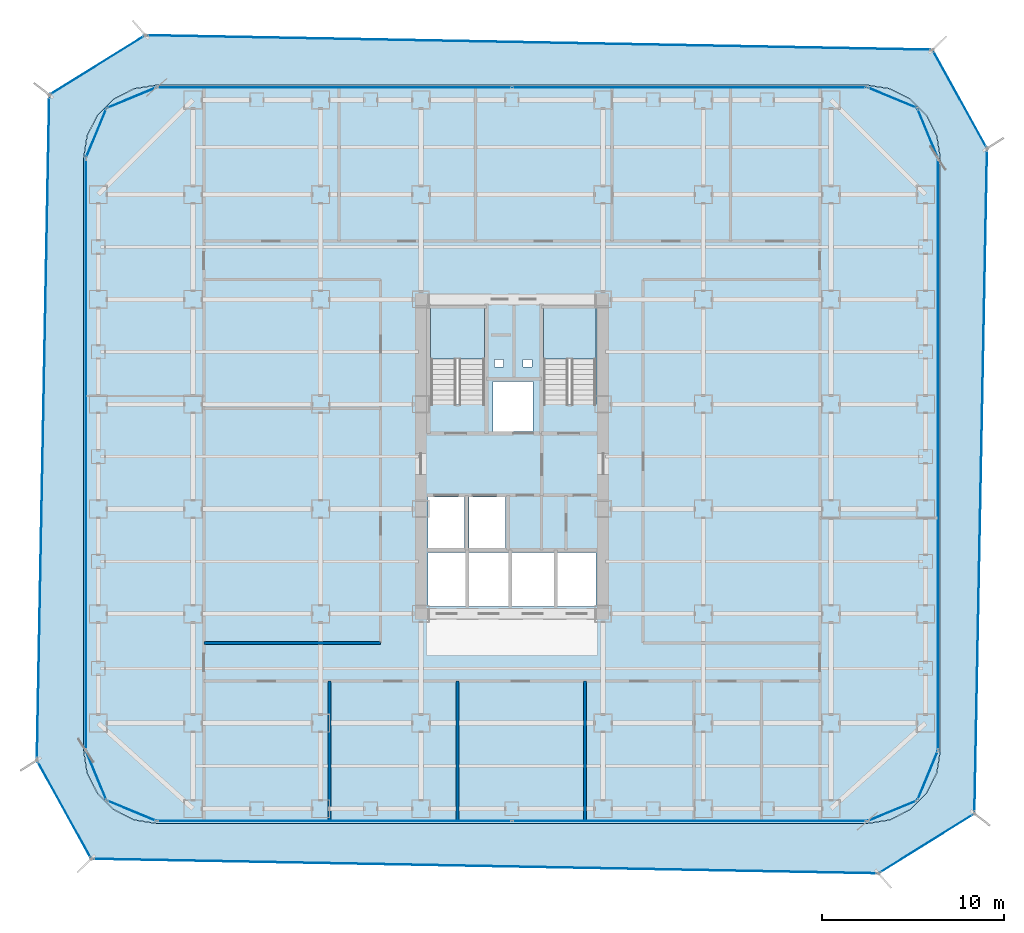
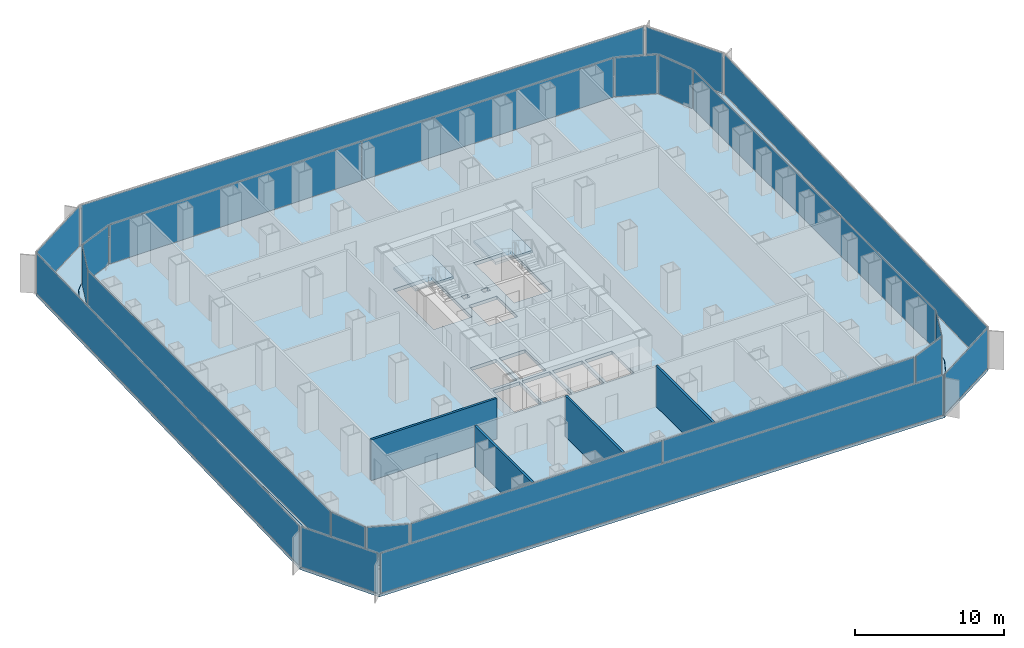
# One storey, part 16 of 22: 22 plates, 4 slabs, 4 walls, 22 elements without a shape of their own.
"""IFC4 building model written with IfcOpenShell, lengths in metres."""

from ifc_helpers import new_model, si_unit, direction, frame, frame_2d, origin, origin_2d, place, context, subcontext, project, spatial, polyline, rectangle, outline, extrude, source, transform, mapped, material, layer, layer_set, type_object, element, aggregate, save


model = new_model("IFC4")

# Units and contexts
model_context = context("Model", 3, precision=1e-05, world=origin(), true_north=direction((0.0, 1.0)))
body_context = subcontext(model_context, "Body", "Model", "MODEL_VIEW")
ifc_project = project(units=[si_unit("LENGTHUNIT", "METRE"), si_unit("AREAUNIT", "SQUARE_METRE"), si_unit("VOLUMEUNIT", "CUBIC_METRE"), si_unit("PLANEANGLEUNIT", "RADIAN"), si_unit("MASSUNIT", "GRAM", prefix="KILO")], contexts=[model_context])

# Site, building, storey
site_placement = place(None, origin())
site = spatial("IfcSite", under=ifc_project, at=site_placement, CompositionType="ELEMENT")
building_placement = place(site_placement, origin())
building = spatial("IfcBuilding", under=site, at=building_placement, Name="Kolveth Station Tower", CompositionType="ELEMENT")
storey_placement = place(building_placement, frame((0.0, 0.0, 81.0)))
storey = spatial("IfcBuildingStorey", under=building, at=storey_placement, Name="L21", CompositionType="ELEMENT", Elevation=81.0)

# Slab
ifc_material_1 = material(Name="Concrete C45/55", Category="concrete")
ifc_layer_1 = layer(ifc_material_1, 0.280029296875)
ifc_layer_set_1 = layer_set([ifc_layer_1], Name="Concrete C45/55")
slab_type_1 = type_object("IfcSlabType", Name="Slab_SF-280", PredefinedType="FLOOR", material=ifc_layer_set_1)
slab_1_placement = place(storey_placement, frame((0.0, 0.0, -0.280029296875)))
element("IfcSlab", 1, at=slab_1_placement, inside=storey, type_object=slab_type_1, Name="L21 Tower Structural Floor Slab", PredefinedType="FLOOR", context=body_context, shape_type="SweptSolid", body=[
    extrude(outline(polyline([(43.0, 0.0), (44.236083984375, 0.19580078125), (45.35107421875, 0.763916015625), (46.236083984375, 1.64892578125), (46.80419921875, 2.763916015625), (47.0, 4.0), (47.0, 36.5), (46.80419921875, 37.736083984375), (46.236083984375, 38.85107421875), (45.35107421875, 39.736083984375), (44.236083984375, 40.30419921875), (43.0, 40.5), (4.0, 40.5), (2.763916015625, 40.30419921875), (1.64892578125, 39.736083984375), (0.763916015625, 38.85107421875), (0.19580078125, 37.736083984375), (0.0, 36.5), (0.0, 4.0), (0.19580078125, 2.763916015625), (0.763916015625, 1.64892578125), (1.64892578125, 0.763916015625), (2.763916015625, 0.19580078125), (4.0, 0.0), (43.0, 0.0)]), holes=[polyline([(19.0400390625, 22.985107421875), (22.0, 22.985107421875), (22.0, 28.39990234375), (19.0400390625, 28.39990234375), (19.0400390625, 22.985107421875)]), polyline([(25.239990234375, 22.985107421875), (28.10009765625, 22.985107421875), (28.10009765625, 28.39990234375), (25.239990234375, 28.39990234375), (25.239990234375, 22.985107421875)]), polyline([(18.89990234375, 15.10009765625), (20.89990234375, 15.10009765625), (20.89990234375, 17.89990234375), (18.89990234375, 17.89990234375), (18.89990234375, 15.10009765625)]), polyline([(21.14990234375, 15.10009765625), (23.14990234375, 15.10009765625), (23.14990234375, 17.89990234375), (21.14990234375, 17.89990234375), (21.14990234375, 15.10009765625)]), polyline([(22.449951171875, 21.5), (24.64990234375, 21.5), (24.64990234375, 24.25), (22.449951171875, 24.25), (22.449951171875, 21.5)]), polyline([(18.89990234375, 11.89990234375), (20.949951171875, 11.89990234375), (20.949951171875, 14.85009765625), (18.89990234375, 14.85009765625), (18.89990234375, 11.89990234375)]), polyline([(21.14990234375, 11.89990234375), (23.300048828125, 11.89990234375), (23.300048828125, 14.85009765625), (21.14990234375, 14.85009765625), (21.14990234375, 11.89990234375)]), polyline([(23.5, 11.89990234375), (25.800048828125, 11.89990234375), (25.800048828125, 14.85009765625), (23.5, 14.85009765625), (23.5, 11.89990234375)]), polyline([(26.0, 11.89990234375), (28.10009765625, 11.89990234375), (28.10009765625, 14.85009765625), (26.0, 14.85009765625), (26.0, 11.89990234375)]), polyline([(22.550048828125, 25.050048828125), (23.050048828125, 25.050048828125), (23.050048828125, 25.449951171875), (22.550048828125, 25.449951171875), (22.550048828125, 25.050048828125)]), polyline([(24.10009765625, 25.050048828125), (24.60009765625, 25.050048828125), (24.60009765625, 25.449951171875), (24.10009765625, 25.449951171875), (24.10009765625, 25.050048828125)])]), origin(), (0.0, 0.0, 1.0), 0.280029296875),
])

# Stair, slab
ifc_material_2 = material(Name="Concrete C40/50", Category="concrete")
stair_type_1 = type_object("IfcStairType", Name="Stair_ST2", PredefinedType="HALF_TURN_STAIR", material=ifc_material_2)
stair_1_placement = place(storey_placement, origin())
stair_1 = element("IfcStair", 2, at=stair_1_placement, inside=storey, type_object=stair_type_1, Name="L21 Tower Exit Stair ST2", PredefinedType="HALF_TURN_STAIR")
ifc_layer_2 = layer(ifc_material_2, 0.18994140625)
ifc_layer_set_2 = layer_set([ifc_layer_2], Name="Concrete C40/50")
slab_type_2 = type_object("IfcSlabType", Name="Slab_SL-190", PredefinedType="LANDING", material=ifc_layer_set_2)
slab_2_placement = place(storey_placement, frame((0.0, 0.0, 1.60009765625)))
slab_2 = element("IfcSlab", 3, at=slab_2_placement, type_object=slab_type_2, Name="ST2 landing 1", PredefinedType="LANDING", context=body_context, shape_type="SweptSolid", body=[
    extrude(outline(polyline([(28.10009765625, 25.469970703125), (28.10009765625, 28.39990234375), (25.239990234375, 28.39990234375), (25.239990234375, 25.469970703125), (28.10009765625, 25.469970703125)])), origin(), (0.0, 0.0, 1.0), 0.199951171875),
])
aggregate(stair_1, [slab_2])

stair_type_2 = type_object("IfcStairType", Name="Stair_ST1", PredefinedType="HALF_TURN_STAIR", material=ifc_material_2)
stair_2_placement = place(storey_placement, origin())
stair_2 = element("IfcStair", 4, at=stair_2_placement, inside=storey, type_object=stair_type_2, Name="L21 Tower Exit Stair ST1", PredefinedType="HALF_TURN_STAIR")
ifc_layer_3 = layer(ifc_material_2, 0.205078125)
ifc_layer_set_3 = layer_set([ifc_layer_3], Name="Concrete C40/50")
slab_type_3 = type_object("IfcSlabType", Name="Slab_SL-205", PredefinedType="LANDING", material=ifc_layer_set_3)
slab_3_placement = place(storey_placement, frame((0.0, 0.0, 1.60009765625)))
slab_3 = element("IfcSlab", 5, at=slab_3_placement, type_object=slab_type_3, Name="ST1 landing 1", PredefinedType="LANDING", context=body_context, shape_type="SweptSolid", body=[
    extrude(outline(polyline([(22.0, 25.469970703125), (22.0, 28.39990234375), (19.0400390625, 28.39990234375), (19.0400390625, 25.469970703125), (22.0, 25.469970703125)])), origin(), (0.0, 0.0, 1.0), 0.199951171875),
])
aggregate(stair_2, [slab_3])

# Slab
ifc_layer_4 = layer(ifc_material_2, 0.2099609375)
ifc_layer_set_4 = layer_set([ifc_layer_4], Name="Concrete C40/50")
slab_type_4 = type_object("IfcSlabType", Name="Slab_ST-210", PredefinedType="FLOOR", material=ifc_layer_set_4)
slab_4_placement = place(storey_placement, frame((0.0, 0.0, -0.2099609375)))
element("IfcSlab", 6, at=slab_4_placement, inside=storey, type_object=slab_type_4, Name="L21 Double-Skin Cavity Structural Ledger Ring", PredefinedType="FLOOR", context=body_context, shape_type="SweptSolid", body=[
    extrude(outline(polyline([(0.42236328125, -1.947021484375), (-2.56591796875, 3.468505859375), (-1.885009765625, 39.96875), (3.38720703125, 43.24365234375), (46.577880859375, 42.447509765625), (49.572998046875, 37.032470703125), (48.8798828125, 0.5341796875), (43.61328125, -2.745849609375), (0.42236328125, -1.947021484375)]), holes=[polyline([(43.002197265625, -0.014892578125), (44.23828125, 0.180908203125), (44.242919921875, 0.182373046875), (45.35791015625, 0.75048828125), (45.36181640625, 0.75341796875), (46.24658203125, 1.63818359375), (46.24951171875, 1.64208984375), (46.817626953125, 2.757080078125), (46.819091796875, 2.76171875), (47.014892578125, 3.997802734375), (47.014892578125, 4.0), (47.014892578125, 36.5), (47.014892578125, 36.502197265625), (46.819091796875, 37.73828125), (46.817626953125, 37.742919921875), (46.24951171875, 38.85791015625), (46.24658203125, 38.86181640625), (45.36181640625, 39.74658203125), (45.35791015625, 39.74951171875), (44.242919921875, 40.317626953125), (44.23828125, 40.319091796875), (43.002197265625, 40.514892578125), (43.0, 40.514892578125), (4.0, 40.514892578125), (3.997802734375, 40.514892578125), (2.76171875, 40.319091796875), (2.757080078125, 40.317626953125), (1.64208984375, 39.74951171875), (1.63818359375, 39.74658203125), (0.75341796875, 38.86181640625), (0.75048828125, 38.85791015625), (0.182373046875, 37.742919921875), (0.180908203125, 37.73828125), (-0.014892578125, 36.502197265625), (-0.014892578125, 36.5), (-0.014892578125, 4.0), (-0.014892578125, 3.997802734375), (0.180908203125, 2.76171875), (0.182373046875, 2.757080078125), (0.75048828125, 1.64208984375), (0.75341796875, 1.63818359375), (1.63818359375, 0.75341796875), (1.64208984375, 0.75048828125), (2.757080078125, 0.182373046875), (2.76171875, 0.180908203125), (3.997802734375, -0.014892578125), (4.0, -0.014892578125), (43.0, -0.014892578125), (43.002197265625, -0.014892578125)])]), origin(), (0.0, 0.0, 1.0), 0.2099609375),
])

# Curtain wall, plate
ifc_material_3 = material(Name="Aluminium 6063-T6 and low-E dark glass", Category="aluminium")
ifc_layer_5 = layer(ifc_material_3, 0.179931640625)
ifc_layer_set_5 = layer_set([ifc_layer_5], Name="Aluminium 6063-T6 and low-E dark glass")
curtain_wall_type_1 = type_object("IfcCurtainWallType", Name="CurtainWall_CW-Z1", PredefinedType="NOTDEFINED", material=ifc_layer_set_5)
curtain_wall_1_placement = place(storey_placement, origin())
curtain_wall_1 = element("IfcCurtainWall", 7, at=curtain_wall_1_placement, inside=storey, type_object=curtain_wall_type_1, Name="L21 Inner Thermal Curtain Wall 1", PredefinedType="NOTDEFINED")
ifc_material_4 = material(Name="Architectural low-E dark glass", Category="glass")
ifc_layer_6 = layer(ifc_material_4, 0.035888671875)
ifc_layer_set_6 = layer_set([ifc_layer_6], Name="Architectural low-E dark glass")
plate_type_1 = type_object("IfcPlateType", Name="Panel_GL1", PredefinedType="CURTAIN_PANEL", material=ifc_layer_set_6)
shared_shape_1 = source(origin(), body_context, "Body", "SweptSolid", [
    extrude(rectangle(XDim=2.83349609375, YDim=0.035888671875, at=origin_2d()), origin(), (0.0, 0.0, 1.0), 3.18408203125),
])
plate_1_placement = place(storey_placement, frame((44.371826171875, 0.688232421875, 0.06787109375), z_axis=(0.0, 0.0, 1.0), x_axis=(0.923883857728, 0.382672990201, 0.0)))
plate_1 = element("IfcPlate", 8, at=plate_1_placement, type_object=plate_type_1, Name="CW-Z1 panel 1.1", PredefinedType="CURTAIN_PANEL", context=body_context, shape_type="MappedRepresentation", body=[
    mapped(shared_shape_1, transform((0.0, 0.0, 0.0), x_axis=(1.0, 0.0, 0.0), y_axis=(0.0, 1.0, 0.0), z_axis=(0.0, 0.0, 1.0), scale=1.0)),
])
aggregate(curtain_wall_1, [plate_1])

curtain_wall_2_placement = place(storey_placement, origin())
curtain_wall_2 = element("IfcCurtainWall", 9, at=curtain_wall_2_placement, inside=storey, type_object=curtain_wall_type_1, Name="L21 Inner Thermal Curtain Wall 2", PredefinedType="NOTDEFINED")
plate_2_placement = place(storey_placement, frame((46.311767578125, 2.628173828125, 0.06787109375), z_axis=(0.0, 0.0, 1.0), x_axis=(0.382672990201, 0.923883857728, 0.0)))
plate_2 = element("IfcPlate", 10, at=plate_2_placement, type_object=plate_type_1, Name="CW-Z1 panel 1.1", PredefinedType="CURTAIN_PANEL", context=body_context, shape_type="MappedRepresentation", body=[
    mapped(shared_shape_1, transform((0.0, 0.0, 0.0), x_axis=(1.0, 0.0, 0.0), y_axis=(0.0, 1.0, 0.0), z_axis=(0.0, 0.0, 1.0), scale=1.0)),
])
aggregate(curtain_wall_2, [plate_2])

curtain_wall_3_placement = place(storey_placement, origin())
curtain_wall_3 = element("IfcCurtainWall", 11, at=curtain_wall_3_placement, inside=storey, type_object=curtain_wall_type_1, Name="L21 Inner Thermal Curtain Wall 4", PredefinedType="NOTDEFINED")
plate_3_placement = place(storey_placement, frame((46.311767578125, 37.871826171875, 0.06787109375), z_axis=(0.0, 0.0, 1.0), x_axis=(-0.382672990201, 0.923883857728, 0.0)))
plate_3 = element("IfcPlate", 12, at=plate_3_placement, type_object=plate_type_1, Name="CW-Z1 panel 1.1", PredefinedType="CURTAIN_PANEL", context=body_context, shape_type="MappedRepresentation", body=[
    mapped(shared_shape_1, transform((0.0, 0.0, 0.0), x_axis=(1.0, 0.0, 0.0), y_axis=(0.0, 1.0, 0.0), z_axis=(0.0, 0.0, 1.0), scale=1.0)),
])
aggregate(curtain_wall_3, [plate_3])

curtain_wall_4_placement = place(storey_placement, origin())
curtain_wall_4 = element("IfcCurtainWall", 13, at=curtain_wall_4_placement, inside=storey, type_object=curtain_wall_type_1, Name="L21 Inner Thermal Curtain Wall 5", PredefinedType="NOTDEFINED")
plate_4_placement = place(storey_placement, frame((44.371826171875, 39.811767578125, 0.06787109375), z_axis=(0.0, 0.0, 1.0), x_axis=(-0.923883857728, 0.382672990201, 0.0)))
plate_4 = element("IfcPlate", 14, at=plate_4_placement, type_object=plate_type_1, Name="CW-Z1 panel 1.1", PredefinedType="CURTAIN_PANEL", context=body_context, shape_type="MappedRepresentation", body=[
    mapped(shared_shape_1, transform((0.0, 0.0, 0.0), x_axis=(1.0, 0.0, 0.0), y_axis=(0.0, 1.0, 0.0), z_axis=(0.0, 0.0, 1.0), scale=1.0)),
])
aggregate(curtain_wall_4, [plate_4])

curtain_wall_5_placement = place(storey_placement, origin())
curtain_wall_5 = element("IfcCurtainWall", 15, at=curtain_wall_5_placement, inside=storey, type_object=curtain_wall_type_1, Name="L21 Inner Thermal Curtain Wall 7", PredefinedType="NOTDEFINED")
plate_5_placement = place(storey_placement, frame((2.628173828125, 39.811767578125, 0.06787109375), z_axis=(0.0, 0.0, 1.0), x_axis=(-0.923883857728, -0.382672990201, 0.0)))
plate_5 = element("IfcPlate", 16, at=plate_5_placement, type_object=plate_type_1, Name="CW-Z1 panel 1.1", PredefinedType="CURTAIN_PANEL", context=body_context, shape_type="MappedRepresentation", body=[
    mapped(shared_shape_1, transform((0.0, 0.0, 0.0), x_axis=(1.0, 0.0, 0.0), y_axis=(0.0, 1.0, 0.0), z_axis=(0.0, 0.0, 1.0), scale=1.0)),
])
aggregate(curtain_wall_5, [plate_5])

curtain_wall_6_placement = place(storey_placement, origin())
curtain_wall_6 = element("IfcCurtainWall", 17, at=curtain_wall_6_placement, inside=storey, type_object=curtain_wall_type_1, Name="L21 Inner Thermal Curtain Wall 8", PredefinedType="NOTDEFINED")
plate_6_placement = place(storey_placement, frame((0.688232421875, 37.871826171875, 0.06787109375), z_axis=(0.0, 0.0, 1.0), x_axis=(-0.382672990201, -0.923883857728, 0.0)))
plate_6 = element("IfcPlate", 18, at=plate_6_placement, type_object=plate_type_1, Name="CW-Z1 panel 1.1", PredefinedType="CURTAIN_PANEL", context=body_context, shape_type="MappedRepresentation", body=[
    mapped(shared_shape_1, transform((0.0, 0.0, 0.0), x_axis=(1.0, 0.0, 0.0), y_axis=(0.0, 1.0, 0.0), z_axis=(0.0, 0.0, 1.0), scale=1.0)),
])
aggregate(curtain_wall_6, [plate_6])

curtain_wall_7_placement = place(storey_placement, origin())
curtain_wall_7 = element("IfcCurtainWall", 19, at=curtain_wall_7_placement, inside=storey, type_object=curtain_wall_type_1, Name="L21 Inner Thermal Curtain Wall 10", PredefinedType="NOTDEFINED")
plate_7_placement = place(storey_placement, frame((0.688232421875, 2.628173828125, 0.06787109375), z_axis=(0.0, 0.0, 1.0), x_axis=(0.382672990201, -0.923883857728, 0.0)))
plate_7 = element("IfcPlate", 20, at=plate_7_placement, type_object=plate_type_1, Name="CW-Z1 panel 1.1", PredefinedType="CURTAIN_PANEL", context=body_context, shape_type="MappedRepresentation", body=[
    mapped(shared_shape_1, transform((0.0, 0.0, 0.0), x_axis=(1.0, 0.0, 0.0), y_axis=(0.0, 1.0, 0.0), z_axis=(0.0, 0.0, 1.0), scale=1.0)),
])
aggregate(curtain_wall_7, [plate_7])

curtain_wall_8_placement = place(storey_placement, origin())
curtain_wall_8 = element("IfcCurtainWall", 21, at=curtain_wall_8_placement, inside=storey, type_object=curtain_wall_type_1, Name="L21 Inner Thermal Curtain Wall 11", PredefinedType="NOTDEFINED")
plate_8_placement = place(storey_placement, frame((2.628173828125, 0.688232421875, 0.06787109375), z_axis=(0.0, 0.0, 1.0), x_axis=(0.923883857728, -0.382672990201, 0.0)))
plate_8 = element("IfcPlate", 22, at=plate_8_placement, type_object=plate_type_1, Name="CW-Z1 panel 1.1", PredefinedType="CURTAIN_PANEL", context=body_context, shape_type="MappedRepresentation", body=[
    mapped(shared_shape_1, transform((0.0, 0.0, 0.0), x_axis=(1.0, 0.0, 0.0), y_axis=(0.0, 1.0, 0.0), z_axis=(0.0, 0.0, 1.0), scale=1.0)),
])
aggregate(curtain_wall_8, [plate_8])

curtain_wall_9_placement = place(storey_placement, origin())
curtain_wall_9 = element("IfcCurtainWall", 23, at=curtain_wall_9_placement, inside=storey, type_object=curtain_wall_type_1, Name="L21 Inner Thermal Curtain Wall 3", PredefinedType="NOTDEFINED")
shared_shape_2 = source(origin(), body_context, "Body", "SweptSolid", [
    extrude(rectangle(XDim=32.364013671875, YDim=0.035888671875, at=origin_2d()), origin(), (0.0, 0.0, 1.0), 3.18408203125),
])
plate_9_placement = place(storey_placement, frame((46.8798828125, 20.25, 0.06787109375), z_axis=(0.0, 0.0, 1.0), x_axis=(0.0, 1.0, 0.0)))
plate_9 = element("IfcPlate", 24, at=plate_9_placement, type_object=plate_type_1, Name="CW-Z1 panel 1.1", PredefinedType="CURTAIN_PANEL", context=body_context, shape_type="MappedRepresentation", body=[
    mapped(shared_shape_2, transform((0.0, 0.0, 0.0), x_axis=(1.0, 0.0, 0.0), y_axis=(0.0, 1.0, 0.0), z_axis=(0.0, 0.0, 1.0), scale=1.0)),
])
aggregate(curtain_wall_9, [plate_9])

curtain_wall_10_placement = place(storey_placement, origin())
curtain_wall_10 = element("IfcCurtainWall", 25, at=curtain_wall_10_placement, inside=storey, type_object=curtain_wall_type_1, Name="L21 Inner Thermal Curtain Wall 9", PredefinedType="NOTDEFINED")
plate_10_placement = place(storey_placement, frame((0.1201171875, 20.25, 0.06787109375), z_axis=(0.0, 0.0, 1.0), x_axis=(0.0, -1.0, 0.0)))
plate_10 = element("IfcPlate", 26, at=plate_10_placement, type_object=plate_type_1, Name="CW-Z1 panel 1.1", PredefinedType="CURTAIN_PANEL", context=body_context, shape_type="MappedRepresentation", body=[
    mapped(shared_shape_2, transform((0.0, 0.0, 0.0), x_axis=(1.0, 0.0, 0.0), y_axis=(0.0, 1.0, 0.0), z_axis=(0.0, 0.0, 1.0), scale=1.0)),
])
aggregate(curtain_wall_10, [plate_10])

# Curtain wall, plates
curtain_wall_11_placement = place(storey_placement, origin())
curtain_wall_11 = element("IfcCurtainWall", 27, at=curtain_wall_11_placement, inside=storey, type_object=curtain_wall_type_1, Name="L21 Inner Thermal Curtain Wall 6", PredefinedType="NOTDEFINED")
shared_shape_3 = source(origin(), body_context, "Body", "SweptSolid", [
    extrude(rectangle(XDim=19.401611328125, YDim=0.035888671875, at=origin_2d()), origin(), (0.0, 0.0, 1.0), 3.18408203125),
])
plate_11_placement = place(storey_placement, frame((33.231201171875, 40.3798828125, 0.06787109375), z_axis=(0.0, 0.0, 1.0), x_axis=(-1.0, 0.0, 0.0)))
plate_11 = element("IfcPlate", 28, at=plate_11_placement, type_object=plate_type_1, Name="CW-Z1 panel 1.1", PredefinedType="CURTAIN_PANEL", context=body_context, shape_type="MappedRepresentation", body=[
    mapped(shared_shape_3, transform((0.0, 0.0, 0.0), x_axis=(1.0, 0.0, 0.0), y_axis=(0.0, 1.0, 0.0), z_axis=(0.0, 0.0, 1.0), scale=1.0)),
])
plate_12_placement = place(storey_placement, frame((13.768798828125, 40.3798828125, 0.06787109375), z_axis=(0.0, 0.0, 1.0), x_axis=(-1.0, 0.0, 0.0)))
plate_12 = element("IfcPlate", 29, at=plate_12_placement, type_object=plate_type_1, Name="CW-Z1 panel 2.1", PredefinedType="CURTAIN_PANEL", context=body_context, shape_type="MappedRepresentation", body=[
    mapped(shared_shape_3, transform((0.0, 0.0, 0.0), x_axis=(1.0, 0.0, 0.0), y_axis=(0.0, 1.0, 0.0), z_axis=(0.0, 0.0, 1.0), scale=1.0)),
])
aggregate(curtain_wall_11, [plate_11, plate_12])

curtain_wall_12_placement = place(storey_placement, origin())
curtain_wall_12 = element("IfcCurtainWall", 30, at=curtain_wall_12_placement, inside=storey, type_object=curtain_wall_type_1, Name="L21 Inner Thermal Curtain Wall 12", PredefinedType="NOTDEFINED")
plate_13_placement = place(storey_placement, frame((13.768798828125, 0.1201171875, 0.06787109375), z_axis=(0.0, 0.0, 1.0), x_axis=(1.0, 0.0, 0.0)))
plate_13 = element("IfcPlate", 31, at=plate_13_placement, type_object=plate_type_1, Name="CW-Z1 panel 1.1", PredefinedType="CURTAIN_PANEL", context=body_context, shape_type="MappedRepresentation", body=[
    mapped(shared_shape_3, transform((0.0, 0.0, 0.0), x_axis=(1.0, 0.0, 0.0), y_axis=(0.0, 1.0, 0.0), z_axis=(0.0, 0.0, 1.0), scale=1.0)),
])
plate_14_placement = place(storey_placement, frame((33.231201171875, 0.1201171875, 0.06787109375), z_axis=(0.0, 0.0, 1.0), x_axis=(1.0, 0.0, 0.0)))
plate_14 = element("IfcPlate", 32, at=plate_14_placement, type_object=plate_type_1, Name="CW-Z1 panel 2.1", PredefinedType="CURTAIN_PANEL", context=body_context, shape_type="MappedRepresentation", body=[
    mapped(shared_shape_3, transform((0.0, 0.0, 0.0), x_axis=(1.0, 0.0, 0.0), y_axis=(0.0, 1.0, 0.0), z_axis=(0.0, 0.0, 1.0), scale=1.0)),
])
aggregate(curtain_wall_12, [plate_13, plate_14])

# Curtain wall, plate
ifc_material_5 = material(Name="Black anodized aluminium 6063-T6 and dark solar glass", Category="aluminium")
ifc_layer_7 = layer(ifc_material_5, 0.159912109375)
ifc_layer_set_7 = layer_set([ifc_layer_7], Name="Black anodized aluminium 6063-T6 and dark solar glass")
curtain_wall_type_2 = type_object("IfcCurtainWallType", Name="OUTER SKIN CW-OS", PredefinedType="NOTDEFINED", material=ifc_layer_set_7)
curtain_wall_13_placement = place(storey_placement, origin())
curtain_wall_13 = element("IfcCurtainWall", 33, at=curtain_wall_13_placement, inside=storey, type_object=curtain_wall_type_2, Name="L21 Outer Ventilated Skin Curtain Wall 1", PredefinedType="NOTDEFINED")
ifc_layer_8 = layer(ifc_material_4, 0.028076171875)
ifc_layer_set_8 = layer_set([ifc_layer_8], Name="Architectural low-E dark glass")
plate_type_2 = type_object("IfcPlateType", Name="Panel_GL-OS", PredefinedType="CURTAIN_PANEL", material=ifc_layer_set_8)
shared_shape_4 = source(origin(), body_context, "Body", "SweptSolid", [
    extrude(rectangle(XDim=6.038818359375, YDim=0.028076171875, at=origin_2d()), origin(), (0.0, 0.0, 1.0), 3.243896484375),
])
plate_15_placement = place(storey_placement, frame((46.24658203125, -1.105712890625, 0.0732421875), z_axis=(0.0, 0.0, 1.0), x_axis=(0.848833866725, 0.52865968893, 0.0)))
plate_15 = element("IfcPlate", 34, at=plate_15_placement, type_object=plate_type_2, Name="CW-OS panel 1.1", PredefinedType="CURTAIN_PANEL", context=body_context, shape_type="MappedRepresentation", body=[
    mapped(shared_shape_4, transform((0.0, 0.0, 0.0), x_axis=(1.0, 0.0, 0.0), y_axis=(0.0, 1.0, 0.0), z_axis=(0.0, 0.0, 1.0), scale=1.0)),
])
aggregate(curtain_wall_13, [plate_15])

curtain_wall_14_placement = place(storey_placement, origin())
curtain_wall_14 = element("IfcCurtainWall", 35, at=curtain_wall_14_placement, inside=storey, type_object=curtain_wall_type_2, Name="L21 Outer Ventilated Skin Curtain Wall 2", PredefinedType="NOTDEFINED")
shared_shape_5 = source(origin(), body_context, "Body", "SweptSolid", [
    extrude(rectangle(XDim=36.3388671875, YDim=0.028076171875, at=origin_2d()), origin(), (0.0, 0.0, 1.0), 3.243896484375),
])
plate_16_placement = place(storey_placement, frame((49.2265625, 18.783447265625, 0.0732421875), z_axis=(0.0, 0.0, 1.0), x_axis=(0.018981077673, 0.999819843117, 0.0)))
plate_16 = element("IfcPlate", 36, at=plate_16_placement, type_object=plate_type_2, Name="CW-OS panel 1.1", PredefinedType="CURTAIN_PANEL", context=body_context, shape_type="MappedRepresentation", body=[
    mapped(shared_shape_5, transform((0.0, 0.0, 0.0), x_axis=(1.0, 0.0, 0.0), y_axis=(0.0, 1.0, 0.0), z_axis=(0.0, 0.0, 1.0), scale=1.0)),
])
aggregate(curtain_wall_14, [plate_16])

curtain_wall_15_placement = place(storey_placement, origin())
curtain_wall_15 = element("IfcCurtainWall", 37, at=curtain_wall_15_placement, inside=storey, type_object=curtain_wall_type_2, Name="L21 Outer Ventilated Skin Curtain Wall 3", PredefinedType="NOTDEFINED")
shared_shape_6 = source(origin(), body_context, "Body", "SweptSolid", [
    extrude(rectangle(XDim=6.02197265625, YDim=0.028076171875, at=origin_2d()), origin(), (0.0, 0.0, 1.0), 3.243896484375),
])
plate_17_placement = place(storey_placement, frame((48.075439453125, 39.739990234375, 0.0732421875), z_axis=(0.0, 0.0, 1.0), x_axis=(-0.483983192291, 0.875077293489, 0.0)))
plate_17 = element("IfcPlate", 38, at=plate_17_placement, type_object=plate_type_2, Name="CW-OS panel 1.1", PredefinedType="CURTAIN_PANEL", context=body_context, shape_type="MappedRepresentation", body=[
    mapped(shared_shape_6, transform((0.0, 0.0, 0.0), x_axis=(1.0, 0.0, 0.0), y_axis=(0.0, 1.0, 0.0), z_axis=(0.0, 0.0, 1.0), scale=1.0)),
])
aggregate(curtain_wall_15, [plate_17])

curtain_wall_16_placement = place(storey_placement, origin())
curtain_wall_16 = element("IfcCurtainWall", 39, at=curtain_wall_16_placement, inside=storey, type_object=curtain_wall_type_2, Name="L21 Outer Ventilated Skin Curtain Wall 4", PredefinedType="NOTDEFINED")
shared_shape_7 = source(origin(), body_context, "Body", "SweptSolid", [
    extrude(rectangle(XDim=43.0322265625, YDim=0.028076171875, at=origin_2d()), origin(), (0.0, 0.0, 1.0), 3.243896484375),
])
plate_18_placement = place(storey_placement, frame((24.982666015625, 42.845458984375, 0.0732421875), z_axis=(0.0, 0.0, 1.0), x_axis=(-0.999830171685, 0.018428993144, 0.0)))
plate_18 = element("IfcPlate", 40, at=plate_18_placement, type_object=plate_type_2, Name="CW-OS panel 1.1", PredefinedType="CURTAIN_PANEL", context=body_context, shape_type="MappedRepresentation", body=[
    mapped(shared_shape_7, transform((0.0, 0.0, 0.0), x_axis=(1.0, 0.0, 0.0), y_axis=(0.0, 1.0, 0.0), z_axis=(0.0, 0.0, 1.0), scale=1.0)),
])
aggregate(curtain_wall_16, [plate_18])

curtain_wall_17_placement = place(storey_placement, origin())
curtain_wall_17 = element("IfcCurtainWall", 41, at=curtain_wall_17_placement, inside=storey, type_object=curtain_wall_type_2, Name="L21 Outer Ventilated Skin Curtain Wall 8", PredefinedType="NOTDEFINED")
plate_19_placement = place(storey_placement, frame((22.017822265625, -2.346435546875, 0.0732421875), z_axis=(0.0, 0.0, 1.0), x_axis=(0.999828975269, -0.018493788461, 0.0)))
plate_19 = element("IfcPlate", 42, at=plate_19_placement, type_object=plate_type_2, Name="CW-OS panel 1.1", PredefinedType="CURTAIN_PANEL", context=body_context, shape_type="MappedRepresentation", body=[
    mapped(shared_shape_7, transform((0.0, 0.0, 0.0), x_axis=(1.0, 0.0, 0.0), y_axis=(0.0, 1.0, 0.0), z_axis=(0.0, 0.0, 1.0), scale=1.0)),
])
aggregate(curtain_wall_17, [plate_19])

curtain_wall_18_placement = place(storey_placement, origin())
curtain_wall_18 = element("IfcCurtainWall", 43, at=curtain_wall_18_placement, inside=storey, type_object=curtain_wall_type_2, Name="L21 Outer Ventilated Skin Curtain Wall 5", PredefinedType="NOTDEFINED")
shared_shape_8 = source(origin(), body_context, "Body", "SweptSolid", [
    extrude(rectangle(XDim=6.04052734375, YDim=0.028076171875, at=origin_2d()), origin(), (0.0, 0.0, 1.0), 3.243896484375),
])
plate_20_placement = place(storey_placement, frame((0.7509765625, 41.606201171875, 0.0732421875), z_axis=(0.0, 0.0, 1.0), x_axis=(-0.849459633797, -0.527653608488, 0.0)))
plate_20 = element("IfcPlate", 44, at=plate_20_placement, type_object=plate_type_2, Name="CW-OS panel 1.1", PredefinedType="CURTAIN_PANEL", context=body_context, shape_type="MappedRepresentation", body=[
    mapped(shared_shape_8, transform((0.0, 0.0, 0.0), x_axis=(1.0, 0.0, 0.0), y_axis=(0.0, 1.0, 0.0), z_axis=(0.0, 0.0, 1.0), scale=1.0)),
])
aggregate(curtain_wall_18, [plate_20])

curtain_wall_19_placement = place(storey_placement, origin())
curtain_wall_19 = element("IfcCurtainWall", 45, at=curtain_wall_19_placement, inside=storey, type_object=curtain_wall_type_2, Name="L21 Outer Ventilated Skin Curtain Wall 6", PredefinedType="NOTDEFINED")
shared_shape_9 = source(origin(), body_context, "Body", "SweptSolid", [
    extrude(rectangle(XDim=36.3408203125, YDim=0.028076171875, at=origin_2d()), origin(), (0.0, 0.0, 1.0), 3.243896484375),
])
plate_21_placement = place(storey_placement, frame((-2.2255859375, 21.718505859375, 0.0732421875), z_axis=(0.0, 0.0, 1.0), x_axis=(-0.01865139618, -0.999826047581, 0.0)))
plate_21 = element("IfcPlate", 46, at=plate_21_placement, type_object=plate_type_2, Name="CW-OS panel 1.1", PredefinedType="CURTAIN_PANEL", context=body_context, shape_type="MappedRepresentation", body=[
    mapped(shared_shape_9, transform((0.0, 0.0, 0.0), x_axis=(1.0, 0.0, 0.0), y_axis=(0.0, 1.0, 0.0), z_axis=(0.0, 0.0, 1.0), scale=1.0)),
])
aggregate(curtain_wall_19, [plate_21])

curtain_wall_20_placement = place(storey_placement, origin())
curtain_wall_20 = element("IfcCurtainWall", 47, at=curtain_wall_20_placement, inside=storey, type_object=curtain_wall_type_2, Name="L21 Outer Ventilated Skin Curtain Wall 7", PredefinedType="NOTDEFINED")
shared_shape_10 = source(origin(), body_context, "Body", "SweptSolid", [
    extrude(rectangle(XDim=6.019287109375, YDim=0.028076171875, at=origin_2d()), origin(), (0.0, 0.0, 1.0), 3.243896484375),
])
plate_22_placement = place(storey_placement, frame((-1.07177734375, 0.7607421875, 0.0732421875), z_axis=(0.0, 0.0, 1.0), x_axis=(0.483138460536, -0.875543961175, 0.0)))
plate_22 = element("IfcPlate", 48, at=plate_22_placement, type_object=plate_type_2, Name="CW-OS panel 1.1", PredefinedType="CURTAIN_PANEL", context=body_context, shape_type="MappedRepresentation", body=[
    mapped(shared_shape_10, transform((0.0, 0.0, 0.0), x_axis=(1.0, 0.0, 0.0), y_axis=(0.0, 1.0, 0.0), z_axis=(0.0, 0.0, 1.0), scale=1.0)),
])
aggregate(curtain_wall_20, [plate_22])

# Walls
ifc_material_6 = material(Name="Acoustic double-stud gypsum partition")
ifc_layer_9 = layer(ifc_material_6, 0.1650390625)
ifc_layer_set_9 = layer_set([ifc_layer_9], Name="Acoustic double-stud gypsum partition")
wall_type = type_object("IfcWallType", Name="Wall_IW-165", PredefinedType="PARTITIONING", material=ifc_layer_set_9)
wall_placement = place(storey_placement, frame((6.60009765625, 9.89990234375, 0.0), z_axis=(0.0, 0.0, 1.0), x_axis=(1.0, 0.0, 0.0)))
element("IfcWall", 49, at=wall_placement, inside=storey, type_object=wall_type, Name="L21 Partition Wall WL-L21-OSWT", PredefinedType="PARTITIONING", context=body_context, shape_type="SweptSolid", body=[
    extrude(rectangle(XDim=9.699951171875, YDim=0.1650390625, at=frame_2d((4.85009765625, 0.0))), origin(), (0.0, 0.0, 1.0), 3.320068359375),
])
for number, where, z_axis, x_axis, name in (
    (50, (13.5, 0.159912109375, 0.0), (0.0, 0.0, 1.0), (0.0, 1.0, 0.0), "L21 Partition Wall WL-L21-OS-P1"),
    (51, (20.5, 0.159912109375, 0.0), (0.0, 0.0, 1.0), (0.0, 1.0, 0.0), "L21 Partition Wall WL-L21-OS-P2"),
    (52, (27.5, 0.159912109375, 0.0), (0.0, 0.0, 1.0), (0.0, 1.0, 0.0), "L21 Partition Wall WL-L21-OS-P3"),
):
    element("IfcWall", number, at=place(storey_placement, frame(where, z_axis=z_axis, x_axis=x_axis)), inside=storey, type_object=wall_type, Name=name, PredefinedType="PARTITIONING", context=body_context, shape_type="SweptSolid", body=[
        extrude(rectangle(XDim=7.64013671875, YDim=0.1650390625, at=frame_2d((3.820068359375, 0.0))), origin(), (0.0, 0.0, 1.0), 3.320068359375),
    ])

save(model, "model.ifc")
